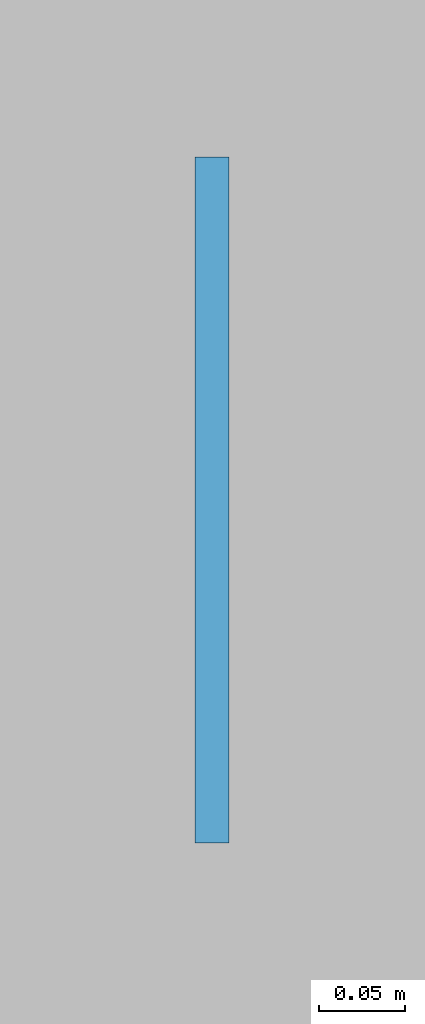
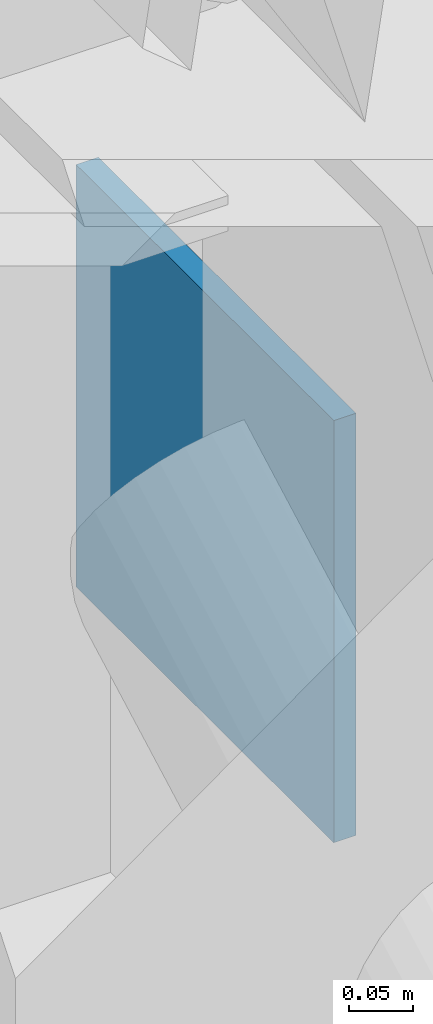
# One storey, part 45 of 72: 1 plate.
"""IFC4 building model written with IfcOpenShell, lengths in metres."""

from ifc_helpers import new_model, si_unit, direction, frame, origin, origin_2d, place, context, subcontext, project, spatial, rectangle, extrude, material, layer, layer_set, type_object, element, save


model = new_model("IFC4")

# Units and contexts
model_context = context("Model", 3, precision=1e-05, world=origin(), true_north=direction((0.0, 1.0)))
body_context = subcontext(model_context, "Body", "Model", "MODEL_VIEW")
ifc_project = project(units=[si_unit("LENGTHUNIT", "METRE"), si_unit("AREAUNIT", "SQUARE_METRE"), si_unit("VOLUMEUNIT", "CUBIC_METRE"), si_unit("PLANEANGLEUNIT", "RADIAN"), si_unit("MASSUNIT", "GRAM", prefix="KILO")], contexts=[model_context])

# Site, building, storey
site_placement = place(None, origin())
site = spatial("IfcSite", under=ifc_project, at=site_placement, CompositionType="ELEMENT")
building_placement = place(site_placement, origin())
building = spatial("IfcBuilding", under=site, at=building_placement, Name="Tlaxcora Railside Police Headquarters", CompositionType="ELEMENT")
storey_placement = place(building_placement, frame((0.0, 0.0, 13.5)))
storey = spatial("IfcBuildingStorey", under=building, at=storey_placement, Name="L03", CompositionType="ELEMENT", Elevation=13.5)

# Plate
ifc_material = material(Name="Steel ASTM A992 Grade 50", Category="steel")
ifc_layer = layer(ifc_material, 0.02001953125, Name="Steel ASTM A992 Grade 50")
ifc_layer_set = layer_set([ifc_layer], Name="Steel ASTM A992 Grade 50")
plate_type = type_object("IfcPlateType", Name="Structural Gusset or Cap Plate GP-37", PredefinedType="USERDEFINED", material=ifc_layer_set)
plate_placement = place(storey_placement, frame((86.0, 60.0, 3.320068359375), z_axis=(0.0, 0.0, 1.0), x_axis=(0.0, 1.0, 0.0)))
element("IfcPlate", 1, at=plate_placement, inside=storey, type_object=plate_type, Name="Truss top-chord gusset plate KNT-3-0", ObjectType="GUSSET PLATE", PredefinedType="USERDEFINED", context=body_context, shape_type="SweptSolid", body=[
    extrude(rectangle(XDim=0.39990234375, YDim=0.02001953125, at=origin_2d()), origin(), (0.0, 0.0, 1.0), 0.39990234375),
])

save(model, "model.ifc")
